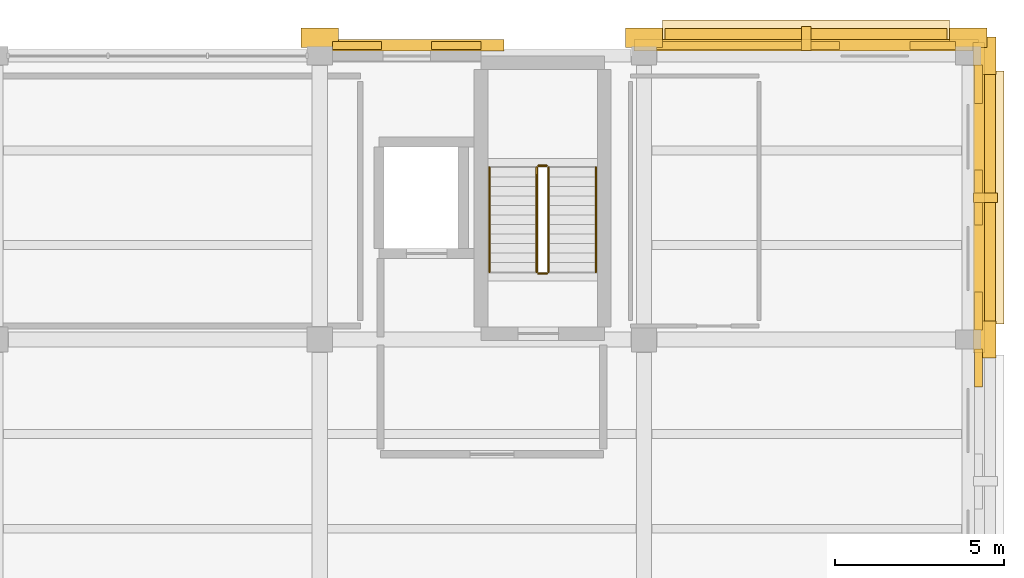
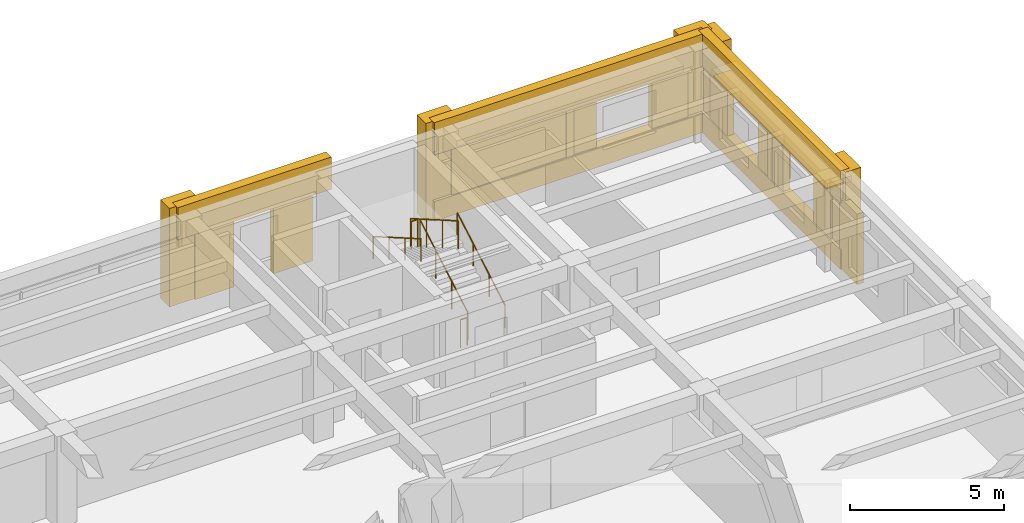
# One storey, part 11 of 11: 22 coverings, 6 railings, 2 shading devices.
"""IFC4 building model written with IfcOpenShell, lengths in metres."""

from ifc_helpers import new_model, si_unit, direction, frame, origin, origin_2d, place, context, subcontext, project, spatial, rectangle, circle, extrude, material, layer, layer_set, type_object, element, save


model = new_model("IFC4")

# Units and contexts
model_context = context("Model", 3, precision=1e-05, world=origin(), true_north=direction((0.0, 1.0)))
body_context = subcontext(model_context, "Body", "Model", "MODEL_VIEW")
ifc_project = project(units=[si_unit("LENGTHUNIT", "METRE"), si_unit("AREAUNIT", "SQUARE_METRE"), si_unit("VOLUMEUNIT", "CUBIC_METRE"), si_unit("PLANEANGLEUNIT", "RADIAN"), si_unit("MASSUNIT", "GRAM", prefix="KILO")], contexts=[model_context])

# Site, building, storey
site_placement = place(None, origin())
site = spatial("IfcSite", under=ifc_project, at=site_placement, CompositionType="ELEMENT")
building_placement = place(site_placement, origin())
building = spatial("IfcBuilding", under=site, at=building_placement, Name="Bempovik Park Faculty of Sciences", CompositionType="ELEMENT")
storey_placement = place(building_placement, frame((0.0, 0.0, 30.60009765625)))
storey = spatial("IfcBuildingStorey", under=building, at=storey_placement, Name="L07", CompositionType="ELEMENT", Elevation=30.60009765625)

# Coverings
ifc_material_1 = material(Name="Precast concrete C40/50", Category="concrete")
ifc_layer_1 = layer(ifc_material_1, 0.179931640625)
ifc_layer_set_1 = layer_set([ifc_layer_1], Name="Precast concrete C40/50")
covering_type_1 = type_object("IfcCoveringType", Name="CL-02 Classical Cornice Band 180mm", PredefinedType="CLADDING", material=ifc_layer_set_1)
covering_1_placement = place(storey_placement, frame((118.199951171875, 115.199951171875, 2.66015625), z_axis=(0.0, 0.0, 1.0), x_axis=(1.0, 0.0, 0.0)))
element("IfcCovering", 1, at=covering_1_placement, inside=storey, type_object=covering_type_1, Name="L07 Classical Stone Solar Window Hood EW-L07-10580", PredefinedType="CLADDING", context=body_context, shape_type="SweptSolid", body=[
    extrude(rectangle(XDim=0.919921875, YDim=7.49609375, at=origin_2d()), origin(), (0.0, 0.0, 1.0), 0.219970703125),
])
covering_2_placement = place(storey_placement, frame((112.800048828125, 120.0, 2.66015625), z_axis=(0.0, 0.0, 1.0), x_axis=(1.0, 0.0, 0.0)))
element("IfcCovering", 2, at=covering_2_placement, inside=storey, type_object=covering_type_1, Name="L07 Classical Stone Solar Window Hood EW-L07-10654", PredefinedType="CLADDING", context=body_context, shape_type="SweptSolid", body=[
    extrude(rectangle(XDim=8.49609375, YDim=0.919921875, at=origin_2d()), origin(), (0.0, 0.0, 1.0), 0.219970703125),
])
ifc_material_2 = material(Name="White reconstituted limestone precast C40/50", Category="masonry")
ifc_layer_2 = layer(ifc_material_2, 0.239990234375)
ifc_layer_set_2 = layer_set([ifc_layer_2], Name="White reconstituted limestone precast C40/50")
covering_type_2 = type_object("IfcCoveringType", Name="CL-03 Classical Fluted Limestone Pilaster 240mm", PredefinedType="CLADDING", material=ifc_layer_set_2)
covering_3_placement = place(storey_placement, frame((118.1298828125, 111.0, 0.0), z_axis=(0.0, 0.0, 1.0), x_axis=(1.0, 0.0, 0.0)))
element("IfcCovering", 3, at=covering_3_placement, inside=storey, type_object=covering_type_2, Name="L07 Classical Fluted Stone Pilaster PIL-BA-L07-1181-1110", PredefinedType="CLADDING", context=body_context, shape_type="SweptSolid", body=[
    extrude(rectangle(XDim=0.580078125, YDim=1.10009765625, at=origin_2d()), origin(), (0.0, 0.0, 1.0), 3.89990234375),
])
covering_4_placement = place(storey_placement, frame((117.89990234375, 110.15869140625, 0.0), z_axis=(0.0, 0.0, 1.0), x_axis=(1.0, 0.0, 0.0)))
element("IfcCovering", 4, at=covering_4_placement, inside=storey, type_object=covering_type_2, Name="L07 White Limestone Wall Cheek EW-L07-10568-4", PredefinedType="CLADDING", context=body_context, shape_type="SweptSolid", body=[
    extrude(rectangle(XDim=0.239990234375, YDim=1.12841796875, at=origin_2d()), origin(), (0.0, 0.0, 1.0), 2.780029296875),
])
covering_5_placement = place(storey_placement, frame((117.909912109375, 115.199951171875, 2.6201171875), z_axis=(0.0, 0.0, 1.0), x_axis=(1.0, 0.0, 0.0)))
element("IfcCovering", 5, at=covering_5_placement, inside=storey, type_object=covering_type_2, Name="L07 Classical Limestone Spandrel Entablature EW-L07-10580", PredefinedType="CLADDING", context=body_context, shape_type="SweptSolid", body=[
    extrude(rectangle(XDim=0.340087890625, YDim=9.196044921875, at=origin_2d()), origin(), (0.0, 0.0, 1.0), 1.280029296875),
])
covering_6_placement = place(storey_placement, frame((117.909912109375, 115.199951171875, 0.0), z_axis=(0.0, 0.0, 1.0), x_axis=(1.0, 0.0, 0.0)))
element("IfcCovering", 6, at=covering_6_placement, inside=storey, type_object=covering_type_2, Name="L07 Classical Limestone Sill Dado EW-L07-10580", PredefinedType="CLADDING", context=body_context, shape_type="SweptSolid", body=[
    extrude(rectangle(XDim=0.340087890625, YDim=9.196044921875, at=origin_2d()), origin(), (0.0, 0.0, 1.0), 0.780029296875),
])
covering_7_placement = place(storey_placement, frame((118.1298828125, 119.39990234375, 0.0), z_axis=(0.0, 0.0, 1.0), x_axis=(1.0, 0.0, 0.0)))
element("IfcCovering", 7, at=covering_7_placement, inside=storey, type_object=covering_type_2, Name="L07 Classical Fluted Stone Pilaster PIL-BA-L07-1181-1194", PredefinedType="CLADDING", context=body_context, shape_type="SweptSolid", body=[
    extrude(rectangle(XDim=0.580078125, YDim=1.10009765625, at=origin_2d()), origin(), (0.0, 0.0, 1.0), 3.89990234375),
])
covering_8_placement = place(storey_placement, frame((117.89990234375, 111.84130859375, 0.0), z_axis=(0.0, 0.0, 1.0), x_axis=(1.0, 0.0, 0.0)))
element("IfcCovering", 8, at=covering_8_placement, inside=storey, type_object=covering_type_2, Name="L07 White Limestone Wall Cheek EW-L07-10580-0", PredefinedType="CLADDING", context=body_context, shape_type="SweptSolid", body=[
    extrude(rectangle(XDim=0.239990234375, YDim=1.12841796875, at=origin_2d()), origin(), (0.0, 0.0, 1.0), 2.780029296875),
])
covering_9_placement = place(storey_placement, frame((117.89990234375, 115.199951171875, 0.0), z_axis=(0.0, 0.0, 1.0), x_axis=(1.0, 0.0, 0.0)))
element("IfcCovering", 9, at=covering_9_placement, inside=storey, type_object=covering_type_2, Name="L07 White Limestone Wall Cheek EW-L07-10580-2", PredefinedType="CLADDING", context=body_context, shape_type="SweptSolid", body=[
    extrude(rectangle(XDim=0.239990234375, YDim=1.629150390625, at=origin_2d()), origin(), (0.0, 0.0, 1.0), 2.780029296875),
])
covering_10_placement = place(storey_placement, frame((117.89990234375, 118.558837890625, 0.0), z_axis=(0.0, 0.0, 1.0), x_axis=(1.0, 0.0, 0.0)))
element("IfcCovering", 10, at=covering_10_placement, inside=storey, type_object=covering_type_2, Name="L07 White Limestone Wall Cheek EW-L07-10580-4", PredefinedType="CLADDING", context=body_context, shape_type="SweptSolid", body=[
    extrude(rectangle(XDim=0.239990234375, YDim=1.12841796875, at=origin_2d()), origin(), (0.0, 0.0, 1.0), 2.780029296875),
])
covering_11_placement = place(storey_placement, frame((118.110107421875, 115.199951171875, 0.64990234375), z_axis=(0.0, 0.0, 1.0), x_axis=(1.0, 0.0, 0.0)))
element("IfcCovering", 11, at=covering_11_placement, inside=storey, type_object=covering_type_2, Name="L07 Classical Vertical Stone Shading Fin EW-L07-10580", PredefinedType="CLADDING", context=body_context, shape_type="SweptSolid", body=[
    extrude(rectangle(XDim=0.719970703125, YDim=0.280029296875, at=origin_2d()), origin(), (0.0, 0.0, 1.0), 2.050048828125),
])
covering_12_placement = place(storey_placement, frame((100.9755859375, 119.7099609375, 2.6201171875), z_axis=(0.0, 0.0, 1.0), x_axis=(1.0, 0.0, 0.0)))
element("IfcCovering", 12, at=covering_12_placement, inside=storey, type_object=covering_type_2, Name="L07 Classical Limestone Spandrel Entablature EW-L07-10647", PredefinedType="CLADDING", context=body_context, shape_type="SweptSolid", body=[
    extrude(rectangle(XDim=5.7470703125, YDim=0.340087890625, at=origin_2d()), origin(), (0.0, 0.0, 1.0), 1.280029296875),
])
for number, where, z_axis, x_axis, name in (
    (13, (98.39990234375, 119.929931640625, 0.0), (0.0, 0.0, 1.0), (1.0, 0.0, 0.0), "L07 Classical Fluted Stone Pilaster PIL-BA-L07-984-1199"),
    (14, (108.0, 119.929931640625, 0.0), (0.0, 0.0, 1.0), (1.0, 0.0, 0.0), "L07 Classical Fluted Stone Pilaster PIL-BA-L07-1080-1199"),
):
    element("IfcCovering", number, at=place(storey_placement, frame(where, z_axis=z_axis, x_axis=x_axis)), inside=storey, type_object=covering_type_2, Name=name, PredefinedType="CLADDING", context=body_context, shape_type="SweptSolid", body=[
        extrude(rectangle(XDim=1.10009765625, YDim=0.580078125, at=origin_2d()), origin(), (0.0, 0.0, 1.0), 3.89990234375),
    ])
for number, where, z_axis, x_axis, name in (
    (15, (99.506103515625, 119.699951171875, 0.0), (0.0, 0.0, 1.0), (1.0, 0.0, 0.0), "L07 Stairwell White Limestone Cheek EW-L07-10647-1"),
    (16, (102.444580078125, 119.699951171875, 0.0), (0.0, 0.0, 1.0), (1.0, 0.0, 0.0), "L07 Stairwell White Limestone Cheek EW-L07-10647-2"),
):
    element("IfcCovering", number, at=place(storey_placement, frame(where, z_axis=z_axis, x_axis=x_axis)), inside=storey, type_object=covering_type_2, Name=name, PredefinedType="CLADDING", context=body_context, shape_type="SweptSolid", body=[
        extrude(rectangle(XDim=1.45849609375, YDim=0.239990234375, at=origin_2d()), origin(), (0.0, 0.0, 1.0), 2.780029296875),
    ])
covering_13_placement = place(storey_placement, frame((112.800048828125, 119.7099609375, 2.6201171875), z_axis=(0.0, 0.0, 1.0), x_axis=(1.0, 0.0, 0.0)))
element("IfcCovering", 17, at=covering_13_placement, inside=storey, type_object=covering_type_2, Name="L07 Classical Limestone Spandrel Entablature EW-L07-10654", PredefinedType="CLADDING", context=body_context, shape_type="SweptSolid", body=[
    extrude(rectangle(XDim=10.196044921875, YDim=0.340087890625, at=origin_2d()), origin(), (0.0, 0.0, 1.0), 1.280029296875),
])
covering_14_placement = place(storey_placement, frame((112.800048828125, 119.7099609375, 0.0), z_axis=(0.0, 0.0, 1.0), x_axis=(1.0, 0.0, 0.0)))
element("IfcCovering", 18, at=covering_14_placement, inside=storey, type_object=covering_type_2, Name="L07 Classical Limestone Sill Dado EW-L07-10654", PredefinedType="CLADDING", context=body_context, shape_type="SweptSolid", body=[
    extrude(rectangle(XDim=10.196044921875, YDim=0.340087890625, at=origin_2d()), origin(), (0.0, 0.0, 1.0), 0.780029296875),
])
covering_15_placement = place(storey_placement, frame((117.60009765625, 119.929931640625, 0.0), z_axis=(0.0, 0.0, 1.0), x_axis=(1.0, 0.0, 0.0)))
element("IfcCovering", 19, at=covering_15_placement, inside=storey, type_object=covering_type_2, Name="L07 Classical Fluted Stone Pilaster PIL-BA-L07-1176-1199", PredefinedType="CLADDING", context=body_context, shape_type="SweptSolid", body=[
    extrude(rectangle(XDim=1.10009765625, YDim=0.580078125, at=origin_2d()), origin(), (0.0, 0.0, 1.0), 3.89990234375),
])
covering_16_placement = place(storey_placement, frame((111.085693359375, 119.699951171875, 0.0), z_axis=(0.0, 0.0, 1.0), x_axis=(1.0, 0.0, 0.0)))
element("IfcCovering", 20, at=covering_16_placement, inside=storey, type_object=covering_type_2, Name="L07 White Limestone Wall Cheek EW-L07-10654-0", PredefinedType="CLADDING", context=body_context, shape_type="SweptSolid", body=[
    extrude(rectangle(XDim=5.41748046875, YDim=0.239990234375, at=origin_2d()), origin(), (0.0, 0.0, 1.0), 2.780029296875),
])
covering_17_placement = place(storey_placement, frame((116.548828125, 119.699951171875, 0.0), z_axis=(0.0, 0.0, 1.0), x_axis=(1.0, 0.0, 0.0)))
element("IfcCovering", 21, at=covering_17_placement, inside=storey, type_object=covering_type_2, Name="L07 White Limestone Wall Cheek EW-L07-10654-2", PredefinedType="CLADDING", context=body_context, shape_type="SweptSolid", body=[
    extrude(rectangle(XDim=1.348388671875, YDim=0.239990234375, at=origin_2d()), origin(), (0.0, 0.0, 1.0), 2.780029296875),
])
covering_18_placement = place(storey_placement, frame((112.800048828125, 119.909912109375, 0.699951171875), z_axis=(0.0, 0.0, 1.0), x_axis=(1.0, 0.0, 0.0)))
element("IfcCovering", 22, at=covering_18_placement, inside=storey, type_object=covering_type_2, Name="L07 Classical Vertical Stone Shading Fin EW-L07-10654", PredefinedType="CLADDING", context=body_context, shape_type="SweptSolid", body=[
    extrude(rectangle(XDim=0.280029296875, YDim=0.719970703125, at=origin_2d()), origin(), (0.0, 0.0, 1.0), 2.0),
])

# Railings
ifc_material_3 = material(Name="Anodised architectural bronze")
railing_type_1 = type_object("IfcRailingType", Name="GR-01 Guardrail 1120mm", PredefinedType="GUARDRAIL", material=ifc_material_3)
railing_1_placement = place(storey_placement, frame((105.175048828125, 113.0, 0.162353515625)))
element("IfcRailing", 23, at=railing_1_placement, inside=storey, type_object=railing_type_1, Name="L07 ST-2 Stair Guard 1", PredefinedType="GUARDRAIL", context=body_context, shape_type="SweptSolid", body=[
    extrude(circle(Radius=0.02392578125, at=origin_2d()), frame((0.0, 0.0, 1.09619140625), z_axis=(0.0, 0.865853233856, 0.500298088565), x_axis=(-1.0, 0.0, 0.0)), (0.0, 0.0, 1.0), 3.572998046875),
    extrude(circle(Radius=0.02099609375, at=origin_2d()), origin(), (0.0, 0.0, 1.0), 1.072021484375),
    extrude(circle(Radius=0.02099609375, at=origin_2d()), frame((0.0, 1.03125, 0.595947265625)), (0.0, 0.0, 1.0), 1.072021484375),
    extrude(circle(Radius=0.02099609375, at=origin_2d()), frame((0.0, 2.0625, 1.191650390625)), (0.0, 0.0, 1.0), 1.072021484375),
    extrude(circle(Radius=0.02099609375, at=origin_2d()), frame((0.0, 3.09375, 1.78759765625)), (0.0, 0.0, 1.0), 1.072021484375),
])
railing_2_placement = place(storey_placement, frame((105.125, 116.143798828125, 1.949951171875)))
element("IfcRailing", 24, at=railing_2_placement, inside=storey, type_object=railing_type_1, Name="L07 ST-2 Stair Guard 2", PredefinedType="GUARDRAIL", context=body_context, shape_type="SweptSolid", body=[
    extrude(circle(Radius=0.02392578125, at=origin_2d()), frame((0.0, 0.0, 1.09619140625), z_axis=(-1.0, 0.0, 0.0), x_axis=(0.0, -1.0, 0.0)), (0.0, 0.0, 1.0), 0.25),
    extrude(circle(Radius=0.02099609375, at=origin_2d()), origin(), (0.0, 0.0, 1.0), 1.072021484375),
    extrude(circle(Radius=0.02099609375, at=origin_2d()), frame((-0.25, 0.0, 0.0)), (0.0, 0.0, 1.0), 1.072021484375),
])
railing_3_placement = place(storey_placement, frame((104.824951171875, 116.09375, 2.1123046875)))
element("IfcRailing", 25, at=railing_3_placement, inside=storey, type_object=railing_type_1, Name="L07 ST-2 Stair Guard 3", PredefinedType="GUARDRAIL", context=body_context, shape_type="SweptSolid", body=[
    extrude(circle(Radius=0.02392578125, at=origin_2d()), frame((0.0, 0.0, 1.09619140625), z_axis=(0.0, -0.865853233856, 0.500298088565), x_axis=(1.0, 0.0, 0.0)), (0.0, 0.0, 1.0), 3.572998046875),
    extrude(circle(Radius=0.02099609375, at=origin_2d()), origin(), (0.0, 0.0, 1.0), 1.072021484375),
    extrude(circle(Radius=0.02099609375, at=origin_2d()), frame((0.0, -1.03125, 0.595947265625)), (0.0, 0.0, 1.0), 1.072021484375),
    extrude(circle(Radius=0.02099609375, at=origin_2d()), frame((0.0, -2.0625, 1.191650390625)), (0.0, 0.0, 1.0), 1.072021484375),
    extrude(circle(Radius=0.02099609375, at=origin_2d()), frame((0.0, -3.09375, 1.78759765625)), (0.0, 0.0, 1.0), 1.072021484375),
])
railing_4_placement = place(storey_placement, frame((105.125, 112.949951171875, 0.0)))
element("IfcRailing", 26, at=railing_4_placement, inside=storey, type_object=railing_type_1, Name="L07 ST-2 Stair Guard 4", PredefinedType="GUARDRAIL", context=body_context, shape_type="SweptSolid", body=[
    extrude(circle(Radius=0.02392578125, at=origin_2d()), frame((0.0, 0.0, 1.09619140625), z_axis=(-1.0, 0.0, 0.0), x_axis=(0.0, -1.0, 0.0)), (0.0, 0.0, 1.0), 0.25),
    extrude(circle(Radius=0.02099609375, at=origin_2d()), origin(), (0.0, 0.0, 1.0), 1.072021484375),
    extrude(circle(Radius=0.02099609375, at=origin_2d()), frame((-0.25, 0.0, 0.0)), (0.0, 0.0, 1.0), 1.072021484375),
])
railing_type_2 = type_object("IfcRailingType", Name="HR-01 Wall Handrail 900mm", PredefinedType="HANDRAIL", material=ifc_material_3)
railing_5_placement = place(storey_placement, frame((106.574951171875, 113.0, 0.162353515625)))
element("IfcRailing", 27, at=railing_5_placement, inside=storey, type_object=railing_type_2, Name="L07 ST-2 Stair Handrail 1", PredefinedType="HANDRAIL", context=body_context, shape_type="SweptSolid", body=[
    extrude(circle(Radius=0.02392578125, at=origin_2d()), frame((0.0, 0.0, 0.8759765625), z_axis=(0.0, 0.865853233856, 0.500298088565), x_axis=(-1.0, 0.0, 0.0)), (0.0, 0.0, 1.0), 3.572998046875),
    extrude(circle(Radius=0.02099609375, at=origin_2d()), origin(), (0.0, 0.0, 1.0), 0.851806640625),
    extrude(circle(Radius=0.02099609375, at=origin_2d()), frame((0.0, 1.03125, 0.595947265625)), (0.0, 0.0, 1.0), 0.851806640625),
    extrude(circle(Radius=0.02099609375, at=origin_2d()), frame((0.0, 2.0625, 1.191650390625)), (0.0, 0.0, 1.0), 0.851806640625),
    extrude(circle(Radius=0.02099609375, at=origin_2d()), frame((0.0, 3.09375, 1.78759765625)), (0.0, 0.0, 1.0), 0.851806640625),
])
railing_6_placement = place(storey_placement, frame((103.425048828125, 116.09375, 2.1123046875)))
element("IfcRailing", 28, at=railing_6_placement, inside=storey, type_object=railing_type_2, Name="L07 ST-2 Stair Handrail 2", PredefinedType="HANDRAIL", context=body_context, shape_type="SweptSolid", body=[
    extrude(circle(Radius=0.02392578125, at=origin_2d()), frame((0.0, 0.0, 0.8759765625), z_axis=(0.0, -0.865853233856, 0.500298088565), x_axis=(1.0, 0.0, 0.0)), (0.0, 0.0, 1.0), 3.572998046875),
    extrude(circle(Radius=0.02099609375, at=origin_2d()), origin(), (0.0, 0.0, 1.0), 0.851806640625),
    extrude(circle(Radius=0.02099609375, at=origin_2d()), frame((0.0, -1.03125, 0.595947265625)), (0.0, 0.0, 1.0), 0.851806640625),
    extrude(circle(Radius=0.02099609375, at=origin_2d()), frame((0.0, -2.0625, 1.191650390625)), (0.0, 0.0, 1.0), 0.851806640625),
    extrude(circle(Radius=0.02099609375, at=origin_2d()), frame((0.0, -3.09375, 1.78759765625)), (0.0, 0.0, 1.0), 0.851806640625),
])

# Shading devices
ifc_layer_3 = layer(ifc_material_3, 0.06005859375)
ifc_layer_set_3 = layer_set([ifc_layer_3], Name="Anodised architectural bronze")
shading_device_type = type_object("IfcShadingDeviceType", Name="SH-01 Bronze Brise-Soleil Fin", PredefinedType="USERDEFINED", material=ifc_layer_set_3)
shading_device_1_placement = place(storey_placement, frame((118.080078125, 115.199951171875, 2.599853515625), z_axis=(0.0, 0.0, 1.0), x_axis=(1.0, 0.0, 0.0)))
element("IfcShadingDevice", 29, at=shading_device_1_placement, inside=storey, type_object=shading_device_type, Name="L07 Equatorial Bronze Brise-Soleil EW-L07-10580", ObjectType="BRISE SOLEIL", PredefinedType="USERDEFINED", context=body_context, shape_type="SweptSolid", body=[
    extrude(rectangle(XDim=0.64990234375, YDim=7.345947265625, at=origin_2d()), origin(), (0.0, 0.0, 1.0), 0.06005859375),
])
shading_device_2_placement = place(storey_placement, frame((112.800048828125, 119.8798828125, 2.599853515625), z_axis=(0.0, 0.0, 1.0), x_axis=(1.0, 0.0, 0.0)))
element("IfcShadingDevice", 30, at=shading_device_2_placement, inside=storey, type_object=shading_device_type, Name="L07 Equatorial Bronze Brise-Soleil EW-L07-10654", ObjectType="BRISE SOLEIL", PredefinedType="USERDEFINED", context=body_context, shape_type="SweptSolid", body=[
    extrude(rectangle(XDim=8.345947265625, YDim=0.64990234375, at=origin_2d()), origin(), (0.0, 0.0, 1.0), 0.06005859375),
])

save(model, "model.ifc")
